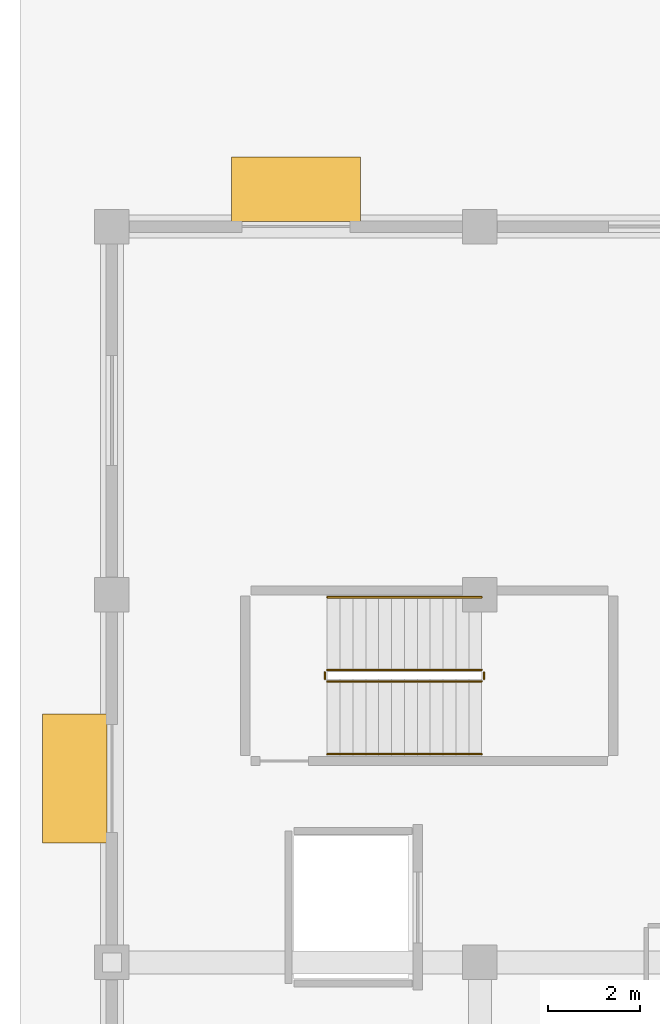
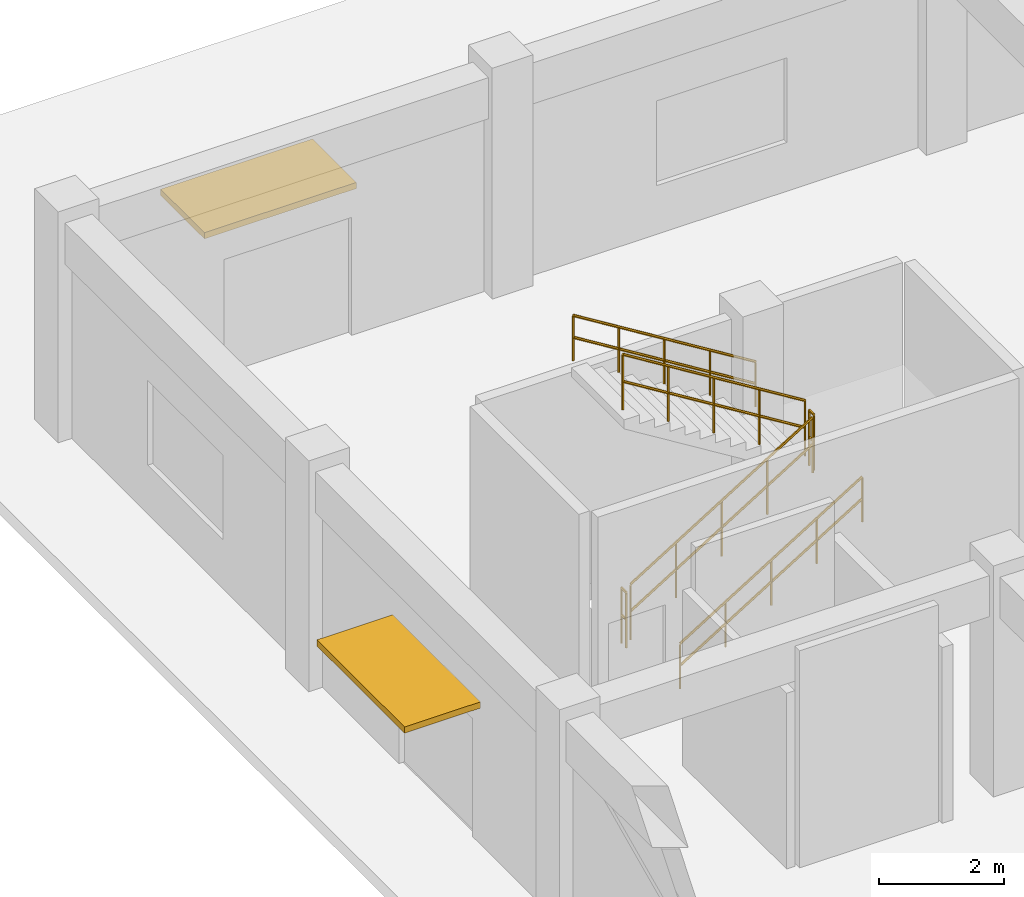
# One storey, part 38 of 40: 6 railings, 2 shading devices.
"""IFC4 building model written with IfcOpenShell, lengths in metres."""

from ifc_helpers import new_model, si_unit, direction, frame, origin, origin_2d, place, context, subcontext, project, spatial, polyline, rectangle, outline, extrude, source, transform, mapped, material, type_object, element, save


model = new_model("IFC4")

# Units and contexts
model_context = context("Model", 3, precision=1e-05, world=origin(), true_north=direction((0.0, 1.0)))
body_context = subcontext(model_context, "Body", "Model", "MODEL_VIEW")
ifc_project = project(units=[si_unit("LENGTHUNIT", "METRE"), si_unit("AREAUNIT", "SQUARE_METRE"), si_unit("VOLUMEUNIT", "CUBIC_METRE"), si_unit("PLANEANGLEUNIT", "RADIAN"), si_unit("MASSUNIT", "GRAM", prefix="KILO")], contexts=[model_context])

# Site, building, storey
site_placement = place(None, origin())
site = spatial("IfcSite", under=ifc_project, at=site_placement, CompositionType="ELEMENT")
building_placement = place(site_placement, origin())
building = spatial("IfcBuilding", under=site, at=building_placement, Name="Kelanora Arch Commons", CompositionType="ELEMENT")
storey_placement = place(building_placement, origin())
storey = spatial("IfcBuildingStorey", under=building, at=storey_placement, Name="L00", CompositionType="ELEMENT", Elevation=0.0)

# Railings
ifc_material_1 = material(Name="Painted steel stair well guard", Category="steel")
railing_type_1 = type_object("IfcRailingType", Name="RAIL-STAIR-GRD", PredefinedType="GUARDRAIL", material=ifc_material_1)
railing_1_placement = place(storey_placement, frame((8.679931640625, 72.110107421875, 0.173095703125)))
element("IfcRailing", 1, at=railing_1_placement, inside=storey, type_object=railing_type_1, Name="L00 ST-M3 stair guard 1", PredefinedType="GUARDRAIL", context=body_context, shape_type="SweptSolid", body=[
    extrude(outline(polyline([(0.02392578125, 0.0), (0.011962890625, 0.020751953125), (-0.011962890625, 0.020751953125), (-0.02392578125, 0.0), (-0.011962890625, -0.020751953125), (0.011962890625, -0.020751953125), (0.02392578125, 0.0)])), frame((0.0, 0.0, 1.076171875), z_axis=(0.850623216509, 0.0, 0.525775754039), x_axis=(0.0, 1.0, 0.0)), (0.0, 0.0, 1.0), 3.9501953125),
    extrude(outline(polyline([(0.02392578125, 0.0), (0.011962890625, 0.020751953125), (-0.011962890625, 0.020751953125), (-0.02392578125, 0.0), (-0.011962890625, -0.020751953125), (0.011962890625, -0.020751953125), (0.02392578125, 0.0)])), frame((0.0, 0.0, 0.550048828125), z_axis=(0.850623216509, 0.0, 0.525775754039), x_axis=(0.0, 1.0, 0.0)), (0.0, 0.0, 1.0), 3.9501953125),
    extrude(outline(polyline([(0.02099609375, 0.0), (0.010498046875, 0.01806640625), (-0.010498046875, 0.01806640625), (-0.02099609375, 0.0), (-0.010498046875, -0.01806640625), (0.010498046875, -0.01806640625), (0.02099609375, 0.0)])), origin(), (0.0, 0.0, 1.0), 1.052001953125),
    extrude(outline(polyline([(0.02099609375, 0.0), (0.010498046875, 0.01806640625), (-0.010498046875, 0.01806640625), (-0.02099609375, 0.0), (-0.010498046875, -0.01806640625), (0.010498046875, -0.01806640625), (0.02099609375, 0.0)])), frame((0.840087890625, 0.0, 0.519287109375)), (0.0, 0.0, 1.0), 1.052001953125),
    extrude(outline(polyline([(0.02099609375, 0.0), (0.010498046875, 0.01806640625), (-0.010498046875, 0.01806640625), (-0.02099609375, 0.0), (-0.010498046875, -0.01806640625), (0.010498046875, -0.01806640625), (0.02099609375, 0.0)])), frame((1.68017578125, 0.0, 1.03857421875)), (0.0, 0.0, 1.0), 1.052001953125),
    extrude(outline(polyline([(0.02099609375, 0.0), (0.010498046875, 0.01806640625), (-0.010498046875, 0.01806640625), (-0.02099609375, 0.0), (-0.010498046875, -0.01806640625), (0.010498046875, -0.01806640625), (0.02099609375, 0.0)])), frame((2.52001953125, 0.0, 1.5576171875)), (0.0, 0.0, 1.0), 1.052001953125),
    extrude(outline(polyline([(0.02099609375, 0.0), (0.010498046875, 0.01806640625), (-0.010498046875, 0.01806640625), (-0.02099609375, 0.0), (-0.010498046875, -0.01806640625), (0.010498046875, -0.01806640625), (0.02099609375, 0.0)])), frame((3.360107421875, 0.0, 2.076904296875)), (0.0, 0.0, 1.0), 1.052001953125),
])
railing_2_placement = place(storey_placement, frame((12.090087890625, 72.159912109375, 2.25)))
element("IfcRailing", 2, at=railing_2_placement, inside=storey, type_object=railing_type_1, Name="L00 ST-M3 stair guard 2", PredefinedType="GUARDRAIL", context=body_context, shape_type="SweptSolid", body=[
    extrude(outline(polyline([(0.02392578125, 0.0), (0.011962890625, 0.020751953125), (-0.011962890625, 0.020751953125), (-0.02392578125, 0.0), (-0.011962890625, -0.020751953125), (0.011962890625, -0.020751953125), (0.02392578125, 0.0)])), frame((0.0, 0.0, 1.076171875), z_axis=(0.0, 1.0, 0.0), x_axis=(-1.0, 0.0, 0.0)), (0.0, 0.0, 1.0), 0.150146484375),
    extrude(outline(polyline([(0.02392578125, 0.0), (0.011962890625, 0.020751953125), (-0.011962890625, 0.020751953125), (-0.02392578125, 0.0), (-0.011962890625, -0.020751953125), (0.011962890625, -0.020751953125), (0.02392578125, 0.0)])), frame((0.0, 0.0, 0.550048828125), z_axis=(0.0, 1.0, 0.0), x_axis=(-1.0, 0.0, 0.0)), (0.0, 0.0, 1.0), 0.150146484375),
    extrude(outline(polyline([(0.02099609375, 0.0), (0.010498046875, 0.01806640625), (-0.010498046875, 0.01806640625), (-0.02099609375, 0.0), (-0.010498046875, -0.01806640625), (0.010498046875, -0.01806640625), (0.02099609375, 0.0)])), origin(), (0.0, 0.0, 1.0), 1.052001953125),
    extrude(outline(polyline([(0.02099609375, 0.0), (0.010498046875, 0.01806640625), (-0.010498046875, 0.01806640625), (-0.02099609375, 0.0), (-0.010498046875, -0.01806640625), (0.010498046875, -0.01806640625), (0.02099609375, 0.0)])), frame((0.0, 0.150146484375, 0.0)), (0.0, 0.0, 1.0), 1.052001953125),
])
railing_3_placement = place(storey_placement, frame((12.0400390625, 72.360107421875, 2.423095703125)))
element("IfcRailing", 3, at=railing_3_placement, inside=storey, type_object=railing_type_1, Name="L00 ST-M3 stair guard 3", PredefinedType="GUARDRAIL", context=body_context, shape_type="SweptSolid", body=[
    extrude(outline(polyline([(0.02392578125, 0.0), (0.011962890625, 0.020751953125), (-0.011962890625, 0.020751953125), (-0.02392578125, 0.0), (-0.011962890625, -0.020751953125), (0.011962890625, -0.020751953125), (0.02392578125, 0.0)])), frame((0.0, 0.0, 1.076171875), z_axis=(-0.850623216509, 0.0, 0.525775754039), x_axis=(0.0, -1.0, 0.0)), (0.0, 0.0, 1.0), 3.9501953125),
    extrude(outline(polyline([(0.02392578125, 0.0), (0.011962890625, 0.020751953125), (-0.011962890625, 0.020751953125), (-0.02392578125, 0.0), (-0.011962890625, -0.020751953125), (0.011962890625, -0.020751953125), (0.02392578125, 0.0)])), frame((0.0, 0.0, 0.550048828125), z_axis=(-0.850623216509, 0.0, 0.525775754039), x_axis=(0.0, -1.0, 0.0)), (0.0, 0.0, 1.0), 3.9501953125),
    extrude(outline(polyline([(0.02099609375, 0.0), (0.010498046875, 0.01806640625), (-0.010498046875, 0.01806640625), (-0.02099609375, 0.0), (-0.010498046875, -0.01806640625), (0.010498046875, -0.01806640625), (0.02099609375, 0.0)])), origin(), (0.0, 0.0, 1.0), 1.052001953125),
    extrude(outline(polyline([(0.02099609375, 0.0), (0.010498046875, 0.01806640625), (-0.010498046875, 0.01806640625), (-0.02099609375, 0.0), (-0.010498046875, -0.01806640625), (0.010498046875, -0.01806640625), (0.02099609375, 0.0)])), frame((-0.840087890625, 0.0, 0.519287109375)), (0.0, 0.0, 1.0), 1.052001953125),
    extrude(outline(polyline([(0.02099609375, 0.0), (0.010498046875, 0.01806640625), (-0.010498046875, 0.01806640625), (-0.02099609375, 0.0), (-0.010498046875, -0.01806640625), (0.010498046875, -0.01806640625), (0.02099609375, 0.0)])), frame((-1.68017578125, 0.0, 1.03857421875)), (0.0, 0.0, 1.0), 1.052001953125),
    extrude(outline(polyline([(0.02099609375, 0.0), (0.010498046875, 0.01806640625), (-0.010498046875, 0.01806640625), (-0.02099609375, 0.0), (-0.010498046875, -0.01806640625), (0.010498046875, -0.01806640625), (0.02099609375, 0.0)])), frame((-2.52001953125, 0.0, 1.5576171875)), (0.0, 0.0, 1.0), 1.052001953125),
    extrude(outline(polyline([(0.02099609375, 0.0), (0.010498046875, 0.01806640625), (-0.010498046875, 0.01806640625), (-0.02099609375, 0.0), (-0.010498046875, -0.01806640625), (0.010498046875, -0.01806640625), (0.02099609375, 0.0)])), frame((-3.360107421875, 0.0, 2.076904296875)), (0.0, 0.0, 1.0), 1.052001953125),
])
railing_4_placement = place(storey_placement, frame((8.6298828125, 72.159912109375, 0.0)))
element("IfcRailing", 4, at=railing_4_placement, inside=storey, type_object=railing_type_1, Name="L00 ST-M3 stair guard 4", PredefinedType="GUARDRAIL", context=body_context, shape_type="SweptSolid", body=[
    extrude(outline(polyline([(0.02392578125, 0.0), (0.011962890625, 0.020751953125), (-0.011962890625, 0.020751953125), (-0.02392578125, 0.0), (-0.011962890625, -0.020751953125), (0.011962890625, -0.020751953125), (0.02392578125, 0.0)])), frame((0.0, 0.0, 1.076171875), z_axis=(0.0, 1.0, 0.0), x_axis=(-1.0, 0.0, 0.0)), (0.0, 0.0, 1.0), 0.150146484375),
    extrude(outline(polyline([(0.02392578125, 0.0), (0.011962890625, 0.020751953125), (-0.011962890625, 0.020751953125), (-0.02392578125, 0.0), (-0.011962890625, -0.020751953125), (0.011962890625, -0.020751953125), (0.02392578125, 0.0)])), frame((0.0, 0.0, 0.550048828125), z_axis=(0.0, 1.0, 0.0), x_axis=(-1.0, 0.0, 0.0)), (0.0, 0.0, 1.0), 0.150146484375),
    extrude(outline(polyline([(0.02099609375, 0.0), (0.010498046875, 0.01806640625), (-0.010498046875, 0.01806640625), (-0.02099609375, 0.0), (-0.010498046875, -0.01806640625), (0.010498046875, -0.01806640625), (0.02099609375, 0.0)])), origin(), (0.0, 0.0, 1.0), 1.052001953125),
    extrude(outline(polyline([(0.02099609375, 0.0), (0.010498046875, 0.01806640625), (-0.010498046875, 0.01806640625), (-0.02099609375, 0.0), (-0.010498046875, -0.01806640625), (0.010498046875, -0.01806640625), (0.02099609375, 0.0)])), frame((0.0, 0.150146484375, 0.0)), (0.0, 0.0, 1.0), 1.052001953125),
])
ifc_material_2 = material(Name="Brushed stainless steel stair handrail", Category="steel")
railing_type_2 = type_object("IfcRailingType", Name="RAIL-STAIR-HND", PredefinedType="HANDRAIL", material=ifc_material_2)
railing_5_placement = place(storey_placement, frame((8.679931640625, 70.530029296875, 0.173095703125)))
element("IfcRailing", 5, at=railing_5_placement, inside=storey, type_object=railing_type_2, Name="L00 ST-M3 stair handrail 1", PredefinedType="HANDRAIL", context=body_context, shape_type="SweptSolid", body=[
    extrude(outline(polyline([(0.02392578125, 0.0), (0.011962890625, 0.020751953125), (-0.011962890625, 0.020751953125), (-0.02392578125, 0.0), (-0.011962890625, -0.020751953125), (0.011962890625, -0.020751953125), (0.02392578125, 0.0)])), frame((0.0, 0.0, 0.8759765625), z_axis=(0.850623216509, 0.0, 0.525775754039), x_axis=(0.0, 1.0, 0.0)), (0.0, 0.0, 1.0), 3.9501953125),
    extrude(outline(polyline([(0.02392578125, 0.0), (0.011962890625, 0.020751953125), (-0.011962890625, 0.020751953125), (-0.02392578125, 0.0), (-0.011962890625, -0.020751953125), (0.011962890625, -0.020751953125), (0.02392578125, 0.0)])), frame((0.0, 0.0, 0.449951171875), z_axis=(0.850623216509, 0.0, 0.525775754039), x_axis=(0.0, 1.0, 0.0)), (0.0, 0.0, 1.0), 3.9501953125),
    extrude(outline(polyline([(0.02099609375, 0.0), (0.010498046875, 0.01806640625), (-0.010498046875, 0.01806640625), (-0.02099609375, 0.0), (-0.010498046875, -0.01806640625), (0.010498046875, -0.01806640625), (0.02099609375, 0.0)])), origin(), (0.0, 0.0, 1.0), 0.851806640625),
    extrude(outline(polyline([(0.02099609375, 0.0), (0.010498046875, 0.01806640625), (-0.010498046875, 0.01806640625), (-0.02099609375, 0.0), (-0.010498046875, -0.01806640625), (0.010498046875, -0.01806640625), (0.02099609375, 0.0)])), frame((0.840087890625, 0.0, 0.519287109375)), (0.0, 0.0, 1.0), 0.851806640625),
    extrude(outline(polyline([(0.02099609375, 0.0), (0.010498046875, 0.01806640625), (-0.010498046875, 0.01806640625), (-0.02099609375, 0.0), (-0.010498046875, -0.01806640625), (0.010498046875, -0.01806640625), (0.02099609375, 0.0)])), frame((1.68017578125, 0.0, 1.03857421875)), (0.0, 0.0, 1.0), 0.851806640625),
    extrude(outline(polyline([(0.02099609375, 0.0), (0.010498046875, 0.01806640625), (-0.010498046875, 0.01806640625), (-0.02099609375, 0.0), (-0.010498046875, -0.01806640625), (0.010498046875, -0.01806640625), (0.02099609375, 0.0)])), frame((2.52001953125, 0.0, 1.5576171875)), (0.0, 0.0, 1.0), 0.851806640625),
    extrude(outline(polyline([(0.02099609375, 0.0), (0.010498046875, 0.01806640625), (-0.010498046875, 0.01806640625), (-0.02099609375, 0.0), (-0.010498046875, -0.01806640625), (0.010498046875, -0.01806640625), (0.02099609375, 0.0)])), frame((3.360107421875, 0.0, 2.076904296875)), (0.0, 0.0, 1.0), 0.851806640625),
])
railing_6_placement = place(storey_placement, frame((12.0400390625, 73.93994140625, 2.423095703125)))
element("IfcRailing", 6, at=railing_6_placement, inside=storey, type_object=railing_type_2, Name="L00 ST-M3 stair handrail 2", PredefinedType="HANDRAIL", context=body_context, shape_type="SweptSolid", body=[
    extrude(outline(polyline([(0.02392578125, 0.0), (0.011962890625, 0.020751953125), (-0.011962890625, 0.020751953125), (-0.02392578125, 0.0), (-0.011962890625, -0.020751953125), (0.011962890625, -0.020751953125), (0.02392578125, 0.0)])), frame((0.0, 0.0, 0.8759765625), z_axis=(-0.850623216509, 0.0, 0.525775754039), x_axis=(0.0, -1.0, 0.0)), (0.0, 0.0, 1.0), 3.9501953125),
    extrude(outline(polyline([(0.02392578125, 0.0), (0.011962890625, 0.020751953125), (-0.011962890625, 0.020751953125), (-0.02392578125, 0.0), (-0.011962890625, -0.020751953125), (0.011962890625, -0.020751953125), (0.02392578125, 0.0)])), frame((0.0, 0.0, 0.449951171875), z_axis=(-0.850623216509, 0.0, 0.525775754039), x_axis=(0.0, -1.0, 0.0)), (0.0, 0.0, 1.0), 3.9501953125),
    extrude(outline(polyline([(0.02099609375, 0.0), (0.010498046875, 0.01806640625), (-0.010498046875, 0.01806640625), (-0.02099609375, 0.0), (-0.010498046875, -0.01806640625), (0.010498046875, -0.01806640625), (0.02099609375, 0.0)])), origin(), (0.0, 0.0, 1.0), 0.851806640625),
    extrude(outline(polyline([(0.02099609375, 0.0), (0.010498046875, 0.01806640625), (-0.010498046875, 0.01806640625), (-0.02099609375, 0.0), (-0.010498046875, -0.01806640625), (0.010498046875, -0.01806640625), (0.02099609375, 0.0)])), frame((-0.840087890625, 0.0, 0.519287109375)), (0.0, 0.0, 1.0), 0.851806640625),
    extrude(outline(polyline([(0.02099609375, 0.0), (0.010498046875, 0.01806640625), (-0.010498046875, 0.01806640625), (-0.02099609375, 0.0), (-0.010498046875, -0.01806640625), (0.010498046875, -0.01806640625), (0.02099609375, 0.0)])), frame((-1.68017578125, 0.0, 1.03857421875)), (0.0, 0.0, 1.0), 0.851806640625),
    extrude(outline(polyline([(0.02099609375, 0.0), (0.010498046875, 0.01806640625), (-0.010498046875, 0.01806640625), (-0.02099609375, 0.0), (-0.010498046875, -0.01806640625), (0.010498046875, -0.01806640625), (0.02099609375, 0.0)])), frame((-2.52001953125, 0.0, 1.5576171875)), (0.0, 0.0, 1.0), 0.851806640625),
    extrude(outline(polyline([(0.02099609375, 0.0), (0.010498046875, 0.01806640625), (-0.010498046875, 0.01806640625), (-0.02099609375, 0.0), (-0.010498046875, -0.01806640625), (0.010498046875, -0.01806640625), (0.02099609375, 0.0)])), frame((-3.360107421875, 0.0, 2.076904296875)), (0.0, 0.0, 1.0), 0.851806640625),
])

# Shading devices
ifc_material_3 = material(Name="Terracotta-bronze aluminium monsoon canopy louvre", Category="masonry")
shading_device_type = type_object("IfcShadingDeviceType", Name="SHD-SUN-MKT", PredefinedType="AWNING", material=ifc_material_3)
shared_shape = source(origin(), body_context, "Body", "SweptSolid", [
    extrude(rectangle(XDim=2.800048828125, YDim=1.39990234375, at=origin_2d()), origin(), (0.0, 0.0, 1.0), 0.1201171875),
])
for number, where, z_axis, x_axis, name in (
    (7, (8.0, 82.81005859375, 2.639892578125), (0.0, 0.0, 1.0), (-1.0, 0.0, 0.0), "Market Entrance Monsoon Canopy 33"),
    (8, (3.18994140625, 70.0, 2.639892578125), (0.0, 0.0, 1.0), (0.0, -1.0, 0.0), "Market Entrance Monsoon Canopy 35"),
):
    element("IfcShadingDevice", number, at=place(storey_placement, frame(where, z_axis=z_axis, x_axis=x_axis)), inside=storey, type_object=shading_device_type, Name=name, PredefinedType="AWNING", context=body_context, shape_type="MappedRepresentation", body=[
        mapped(shared_shape, transform((0.0, 0.0, 0.0), scale=1.0)),
    ])

save(model, "model.ifc")
